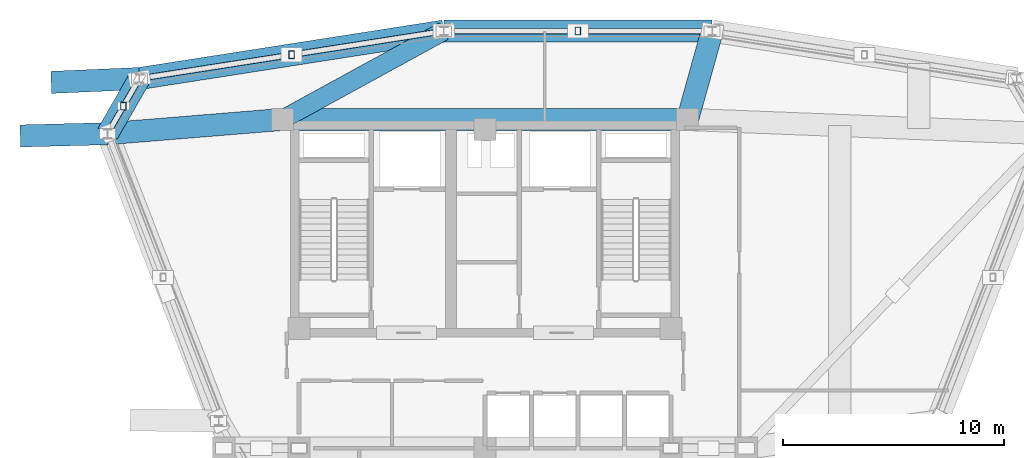
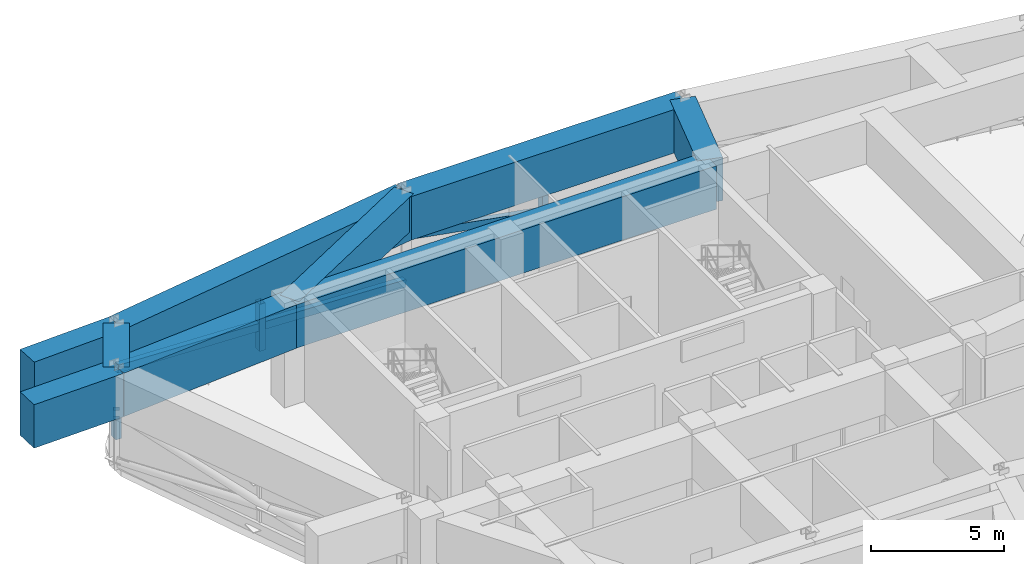
# One storey, part 5 of 11: 9 beams, 6 members.
"""IFC4 building model written with IfcOpenShell, lengths in metres."""

from ifc_helpers import new_model, si_unit, derived_unit, direction, frame, origin, origin_2d, place, context, subcontext, project, spatial, rectangle, hollow_rectangle, extrude, source, transform, mapped, material, material_profile, profile_set, type_object, element, save


model = new_model("IFC4")

# Units and contexts
model_context = context("Model", 3, precision=1e-05, world=origin(), true_north=direction((0.0, 1.0)))
body_context = subcontext(model_context, "Body", "Model", "MODEL_VIEW")
ifc_project = project(units=[si_unit("LENGTHUNIT", "METRE"), si_unit("AREAUNIT", "SQUARE_METRE"), si_unit("VOLUMEUNIT", "CUBIC_METRE"), si_unit("PLANEANGLEUNIT", "RADIAN"), si_unit("MASSUNIT", "GRAM", prefix="KILO"), derived_unit("THERMALTRANSMITTANCEUNIT", [(si_unit("POWERUNIT", "WATT"), 1), (si_unit("LENGTHUNIT", "METRE"), -2), (si_unit("THERMODYNAMICTEMPERATUREUNIT", "KELVIN"), -1)])], contexts=[model_context])

# Site, building, storey
site_placement = place(None, origin())
site = spatial("IfcSite", under=ifc_project, at=site_placement, CompositionType="ELEMENT")
building_placement = place(site_placement, origin())
building = spatial("IfcBuilding", under=site, at=building_placement, Name="Korsvarv Bourse and Concert Hall", CompositionType="ELEMENT")
storey_placement = place(building_placement, frame((0.0, 0.0, 238.199951171875)))
storey = spatial("IfcBuildingStorey", under=building, at=storey_placement, Name="L62", CompositionType="ELEMENT", Elevation=238.199951171875)

# Beam
ifc_material_1 = material(Name="Concrete C60/75", Category="concrete")
ifc_material_profile_1 = material_profile(ifc_material_1, rectangle(XDim=1.0, YDim=2.0, at=origin_2d()), Name="RC-BM 1000x2000")
ifc_profile_set_1 = profile_set([ifc_material_profile_1], Name="Concrete C60/75")
beam_type_1 = type_object("IfcBeamType", Name="BM-TR1", PredefinedType="BEAM", material=ifc_profile_set_1)
shared_shape_1 = source(origin(), body_context, "Body", "SweptSolid", [
    extrude(rectangle(XDim=1.0, YDim=2.0, at=origin_2d()), origin(), (0.0, 0.0, 1.0), 18.2998046875),
])
beam_1_placement = place(storey_placement, frame((26.85009765625, 47.25, 3.570068359375), z_axis=(1.0, 0.0, 0.0), x_axis=(0.0, 1.0, 0.0)))
element("IfcBeam", 1, at=beam_1_placement, inside=storey, type_object=beam_type_1, Name="L62 beam B-TR1", PredefinedType="BEAM", context=body_context, shape_type="MappedRepresentation", body=[
    mapped(shared_shape_1, transform((0.0, 0.0, 0.0), scale=1.0)),
])

# Members
ifc_material_2 = material(Name="Steel S355", Category="steel")
ifc_material_profile_2 = material_profile(ifc_material_2, hollow_rectangle(XDim=0.25, YDim=0.35009765625, WallThickness=0.012451171875, at=origin_2d()), Name="RHS 350x250x12.5")
ifc_profile_set_2 = profile_set([ifc_material_profile_2], Name="Steel S355")
member_type = type_object("IfcMemberType", Name="MEM-RHS350", PredefinedType="STRUT", material=ifc_profile_set_2)
shared_shape_2 = source(origin(), body_context, "Body", "SweptSolid", [
    extrude(hollow_rectangle(XDim=0.25, YDim=0.35009765625, WallThickness=0.012451171875, at=origin_2d()), origin(), (0.0, 0.0, 1.0), 2.169921875),
])
for number, where, z_axis, x_axis, name in (
    (2, (40.199951171875, 51.2412109375, 0.35009765625), (0.0, 0.0, 1.0), (1.0, 0.0, 0.0), "L62 Perimeter Belt Truss Strut 3"),
    (3, (27.2646484375, 50.16943359375, 0.35009765625), (0.0, 0.0, 1.0), (1.0, 0.0, 0.0), "L62 Perimeter Belt Truss Strut 4"),
    (4, (19.671875, 47.85205078125, 0.35009765625), (0.0, 0.0, 1.0), (1.0, 0.0, 0.0), "L62 Perimeter Belt Truss Strut 5"),
):
    element("IfcMember", number, at=place(storey_placement, frame(where, z_axis=z_axis, x_axis=x_axis)), inside=storey, type_object=member_type, Name=name, PredefinedType="STRUT", context=body_context, shape_type="MappedRepresentation", body=[
        mapped(shared_shape_2, transform((0.0, 0.0, 0.0), scale=1.0)),
    ])

# Beams
shared_shape_3 = source(origin(), body_context, "Body", "SweptSolid", [
    extrude(rectangle(XDim=1.0, YDim=2.0, at=origin_2d()), origin(), (0.0, 0.0, 1.0), 12.12353515625),
])
beam_2_placement = place(storey_placement, frame((46.26171875, 51.2412109375, 3.570068359375), z_axis=(-1.0, 0.0, 0.0), x_axis=(0.0, -1.0, 0.0)))
element("IfcBeam", 5, at=beam_2_placement, inside=storey, type_object=beam_type_1, Name="L62 beam B-TR1", PredefinedType="BEAM", context=body_context, shape_type="MappedRepresentation", body=[
    mapped(shared_shape_3, transform((0.0, 0.0, 0.0), scale=1.0)),
])
shared_shape_4 = source(origin(), body_context, "Body", "SweptSolid", [
    extrude(rectangle(XDim=1.0, YDim=2.0, at=origin_2d()), origin(), (0.0, 0.0, 1.0), 13.9130859375),
])
beam_3_placement = place(storey_placement, frame((34.13818359375, 51.2412109375, 3.570068359375), z_axis=(-0.988060495493, -0.154066405314, 0.0), x_axis=(0.154066405314, -0.988060495493, 0.0)))
element("IfcBeam", 6, at=beam_3_placement, inside=storey, type_object=beam_type_1, Name="L62 beam B-TR1", PredefinedType="BEAM", context=body_context, shape_type="MappedRepresentation", body=[
    mapped(shared_shape_4, transform((0.0, 0.0, 0.0), scale=1.0)),
])
shared_shape_5 = source(origin(), body_context, "Body", "SweptSolid", [
    extrude(rectangle(XDim=1.0, YDim=2.0, at=origin_2d()), origin(), (0.0, 0.0, 1.0), 2.876953125),
])
beam_4_placement = place(storey_placement, frame((20.39111328125, 49.09765625, 3.570068359375), z_axis=(-0.500008942529, -0.866020240751, 0.0), x_axis=(0.866020240751, -0.500008942529, 0.0)))
element("IfcBeam", 7, at=beam_4_placement, inside=storey, type_object=beam_type_1, Name="L62 beam B-TR1", PredefinedType="BEAM", context=body_context, shape_type="MappedRepresentation", body=[
    mapped(shared_shape_5, transform((0.0, 0.0, 0.0), scale=1.0)),
])
shared_shape_6 = source(origin(), body_context, "Body", "SweptSolid", [
    extrude(rectangle(XDim=1.0, YDim=2.0, at=origin_2d()), origin(), (0.0, 0.0, 1.0), 4.14306640625),
])
beam_5_placement = place(storey_placement, frame((46.26171875, 51.2412109375, 3.570068359375), z_axis=(-0.268348877683, -0.963321794545, 0.0), x_axis=(0.963321794545, -0.268348877683, 0.0)))
element("IfcBeam", 8, at=beam_5_placement, inside=storey, type_object=beam_type_1, Name="L62 beam B-TR1", PredefinedType="BEAM", context=body_context, shape_type="MappedRepresentation", body=[
    mapped(shared_shape_6, transform((0.0, 0.0, 0.0), scale=1.0)),
])
shared_shape_7 = source(origin(), body_context, "Body", "SweptSolid", [
    extrude(rectangle(XDim=1.0, YDim=2.0, at=origin_2d()), origin(), (0.0, 0.0, 1.0), 7.923583984375),
])
beam_6_placement = place(storey_placement, frame((18.95263671875, 46.606201171875, 3.570068359375), z_axis=(0.996693737026, 0.08125019737, 0.0), x_axis=(-0.08125019737, 0.996693737026, 0.0)))
element("IfcBeam", 9, at=beam_6_placement, inside=storey, type_object=beam_type_1, Name="L62 beam B-TR1", PredefinedType="BEAM", context=body_context, shape_type="MappedRepresentation", body=[
    mapped(shared_shape_7, transform((0.0, 0.0, 0.0), scale=1.0)),
])
ifc_material_3 = material(Name="Concrete C55/67", Category="concrete")
ifc_material_profile_3 = material_profile(ifc_material_3, rectangle(XDim=0.85009765625, YDim=1.60009765625, at=origin_2d()), Name="RC-BM 850x1600")
ifc_profile_set_3 = profile_set([ifc_material_profile_3], Name="Concrete C55/67")
beam_type_2 = type_object("IfcBeamType", Name="BM-TR1B", PredefinedType="BEAM", material=ifc_profile_set_3)
shared_shape_8 = source(origin(), body_context, "Body", "SweptSolid", [
    extrude(rectangle(XDim=0.85009765625, YDim=1.60009765625, at=origin_2d()), origin(), (0.0, 0.0, 1.0), 8.309326171875),
])
beam_7_placement = place(storey_placement, frame((34.13818359375, 51.2412109375, 3.77001953125), z_axis=(-0.877090373578, -0.480325386147, 0.0), x_axis=(0.480325386147, -0.877090373578, 0.0)))
element("IfcBeam", 10, at=beam_7_placement, inside=storey, type_object=beam_type_2, Name="L62 beam B-TR2", PredefinedType="BEAM", context=body_context, shape_type="MappedRepresentation", body=[
    mapped(shared_shape_8, transform((0.0, 0.0, 0.0), scale=1.0)),
])
shared_shape_9 = source(origin(), body_context, "Body", "SweptSolid", [
    extrude(rectangle(XDim=1.0, YDim=2.0, at=origin_2d()), origin(), (0.0, 0.0, 1.0), 3.985107421875),
])
beam_8_placement = place(storey_placement, frame((20.39111328125, 49.09765625, 3.570068359375), z_axis=(-0.999050949752, -0.043556857081, 0.0), x_axis=(0.043556857081, -0.999050949752, 0.0)))
element("IfcBeam", 11, at=beam_8_placement, inside=storey, type_object=beam_type_1, Name="L62 Block-Shift Transfer Girder 5", PredefinedType="BEAM", context=body_context, shape_type="MappedRepresentation", body=[
    mapped(shared_shape_9, transform((0.0, 0.0, 0.0), scale=1.0)),
])
shared_shape_10 = source(origin(), body_context, "Body", "SweptSolid", [
    extrude(rectangle(XDim=1.0, YDim=2.0, at=origin_2d()), origin(), (0.0, 0.0, 1.0), 3.941650390625),
])
beam_9_placement = place(storey_placement, frame((18.95263671875, 46.606201171875, 3.570068359375), z_axis=(-0.999661591683, -0.026013498668, 0.0), x_axis=(0.026013498668, -0.999661591683, 0.0)))
element("IfcBeam", 12, at=beam_9_placement, inside=storey, type_object=beam_type_1, Name="L62 Block-Shift Transfer Girder 6", PredefinedType="BEAM", context=body_context, shape_type="MappedRepresentation", body=[
    mapped(shared_shape_10, transform((0.0, 0.0, 0.0), scale=1.0)),
])

# Members
shared_shape_11 = source(origin(), body_context, "Body", "SweptSolid", [
    extrude(hollow_rectangle(XDim=0.25, YDim=0.35009765625, WallThickness=0.012451171875, at=origin_2d()), origin(), (0.0, 0.0, 1.0), 12.316162109375),
])
member_1_placement = place(storey_placement, frame((46.26171875, 51.2412109375, 0.35009765625), z_axis=(-0.984357173825, 0.0, 0.176184432739), x_axis=(0.0, -1.0, 0.0)))
element("IfcMember", 13, at=member_1_placement, inside=storey, type_object=member_type, Name="L62 Perimeter Belt Truss Diagonal 3", PredefinedType="STRUT", context=body_context, shape_type="MappedRepresentation", body=[
    mapped(shared_shape_11, transform((0.0, 0.0, 0.0), scale=1.0)),
])
shared_shape_12 = source(origin(), body_context, "Body", "SweptSolid", [
    extrude(hollow_rectangle(XDim=0.25, YDim=0.35009765625, WallThickness=0.012451171875, at=origin_2d()), origin(), (0.0, 0.0, 1.0), 14.081298828125),
])
member_2_placement = place(storey_placement, frame((34.13818359375, 51.2412109375, 0.35009765625), z_axis=(-0.976258575934, -0.152226154307, 0.154098640032), x_axis=(0.154066405314, -0.988060495493, 0.0)))
element("IfcMember", 14, at=member_2_placement, inside=storey, type_object=member_type, Name="L62 Perimeter Belt Truss Diagonal 4", PredefinedType="STRUT", context=body_context, shape_type="MappedRepresentation", body=[
    mapped(shared_shape_12, transform((0.0, 0.0, 0.0), scale=1.0)),
])
shared_shape_13 = source(origin(), body_context, "Body", "SweptSolid", [
    extrude(hollow_rectangle(XDim=0.25, YDim=0.35009765625, WallThickness=0.012451171875, at=origin_2d()), origin(), (0.0, 0.0, 1.0), 3.603515625),
])
member_3_placement = place(storey_placement, frame((20.39111328125, 49.09765625, 0.35009765625), z_axis=(-0.399190076633, -0.691401006796, 0.602172675002), x_axis=(0.866020240751, -0.500008942529, 0.0)))
element("IfcMember", 15, at=member_3_placement, inside=storey, type_object=member_type, Name="L62 Perimeter Belt Truss Diagonal 5", PredefinedType="STRUT", context=body_context, shape_type="MappedRepresentation", body=[
    mapped(shared_shape_13, transform((0.0, 0.0, 0.0), scale=1.0)),
])

save(model, "model.ifc")
